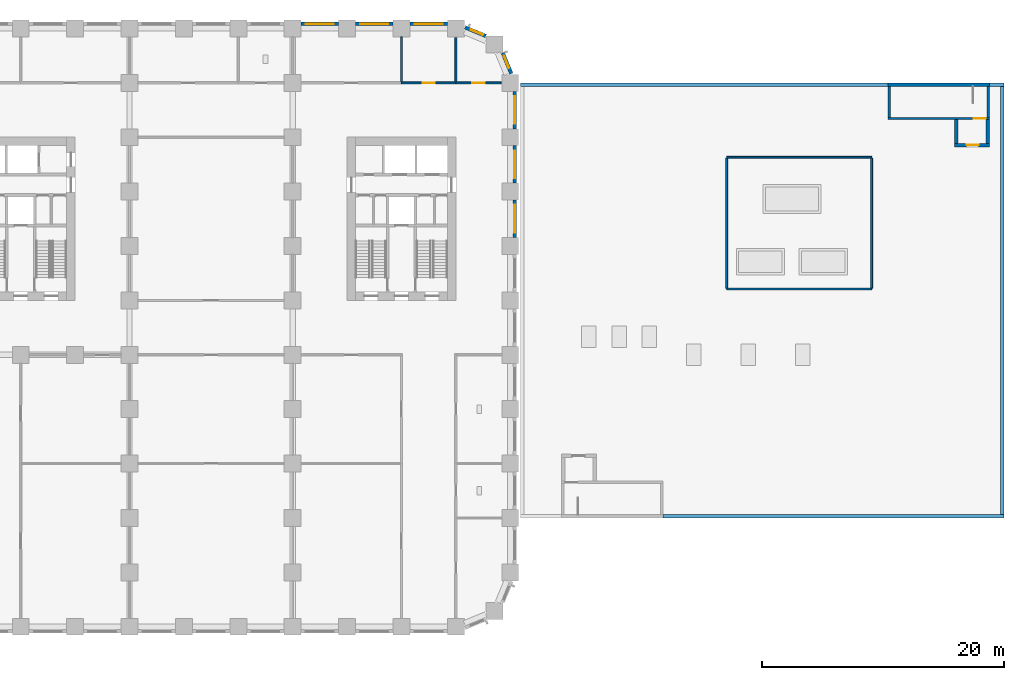
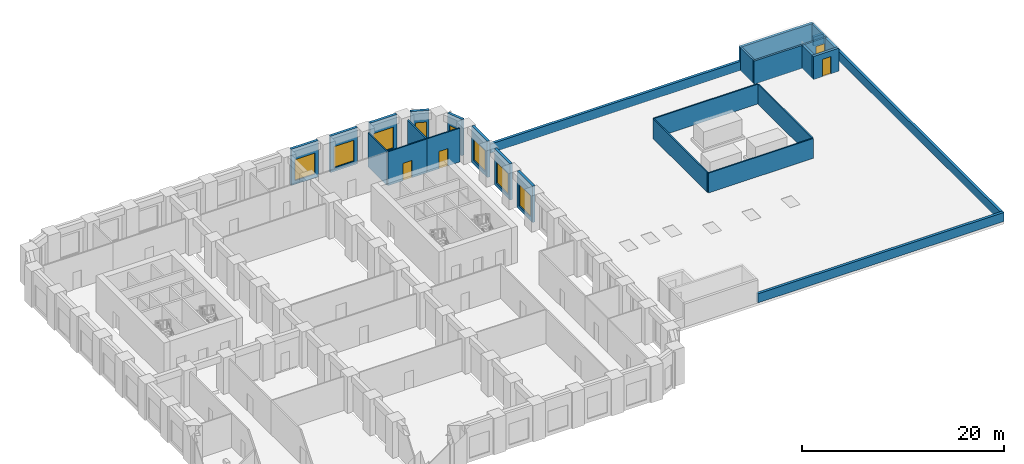
# One storey, part 8 of 14: 27 walls, 8 windows, 4 doors, 12 openings.
"""IFC4 building model written with IfcOpenShell, lengths in metres."""

from ifc_helpers import new_model, si_unit, direction, frame, frame_2d, origin, place, context, subcontext, project, spatial, rectangle, extrude, material, layer, layer_set, type_object, element, fill, save


model = new_model("IFC4")

# Units and contexts
model_context = context("Model", 3, precision=1e-05, world=origin(), true_north=direction((0.0, 1.0)))
body_context = subcontext(model_context, "Body", "Model", "MODEL_VIEW")
ifc_project = project(units=[si_unit("LENGTHUNIT", "METRE"), si_unit("AREAUNIT", "SQUARE_METRE"), si_unit("VOLUMEUNIT", "CUBIC_METRE"), si_unit("PLANEANGLEUNIT", "RADIAN"), si_unit("MASSUNIT", "GRAM", prefix="KILO")], contexts=[model_context])

# Site, building, storey
site_placement = place(None, origin())
site = spatial("IfcSite", under=ifc_project, at=site_placement, CompositionType="ELEMENT")
building_placement = place(site_placement, origin())
building = spatial("IfcBuilding", under=site, at=building_placement, Name="Girih Gate Residences", CompositionType="ELEMENT")
storey_placement = place(building_placement, frame((0.0, 0.0, 26.0)))
storey = spatial("IfcBuildingStorey", under=building, at=storey_placement, Name="L05", CompositionType="ELEMENT", Elevation=26.0)

# Wall
ifc_material_1 = material(Name="Gypsum board on steel studs", Category="steel")
ifc_layer_1 = layer(ifc_material_1, 0.14990234375)
ifc_layer_set_1 = layer_set([ifc_layer_1], Name="Compartment wall 150 mm")
wall_type_1 = type_object("IfcWallType", Name="Compartment wall 150 mm", PredefinedType="PARTITIONING", material=ifc_layer_set_1)
wall_1_placement = place(storey_placement, frame((45.0, 45.074951171875, 0.0), z_axis=(0.0, 0.0, 1.0), x_axis=(0.0, 1.0, 0.0)))
element("IfcWall", 1, at=wall_1_placement, inside=storey, type_object=wall_type_1, Name="L05 partition", PredefinedType="PARTITIONING", context=body_context, shape_type="SweptSolid", body=[
    extrude(rectangle(XDim=3.66748046875, YDim=0.14990234375, at=frame_2d((1.833740234375, 0.0))), origin(), (0.0, 0.0, 1.0), 4.10009765625),
])

# Wall, opening, door
wall_2_placement = place(storey_placement, frame((45.0, 45.0, 0.0), z_axis=(0.0, 0.0, 1.0), x_axis=(1.0, 0.0, 0.0)))
wall_2 = element("IfcWall", 2, at=wall_2_placement, inside=storey, type_object=wall_type_1, Name="L05 partition", PredefinedType="PARTITIONING", context=body_context, shape_type="SweptSolid", body=[
    extrude(rectangle(XDim=3.742431640625, YDim=0.14990234375, at=frame_2d((1.87109375, 0.0))), origin(), (0.0, 0.0, 1.0), 4.10009765625),
])
opening_1_placement = place(wall_2_placement, frame((1.37109375, 0.0, 0.0)))
opening_1 = element("IfcOpeningElement", 3, at=opening_1_placement, cuts=wall_2, Name="Opening D-L05-S-007", PredefinedType="OPENING", context=body_context, shape_type="SweptSolid", body=[
    extrude(rectangle(XDim=1.0, YDim=2.10009765625, at=frame_2d((0.5, 1.050048828125))), frame((0.0, 0.0849609375, 0.0), z_axis=(0.0, -1.0, 0.0), x_axis=(1.0, 0.0, 0.0)), (0.0, 0.0, 1.0), 0.169921875),
])
ifc_material_2 = material(Name="Timber, fire-rated core", Category="wood")
door_type_1 = type_object("IfcDoorType", Name="Amenity door 1000x2100 FD30S", OperationType="SINGLE_SWING_LEFT", PredefinedType="DOOR", material=ifc_material_2)
door_1_placement = place(opening_1_placement, origin())
door_1 = element("IfcDoor", 4, at=door_1_placement, inside=storey, type_object=door_type_1, Name="Door L05-007", OperationType="SINGLE_SWING_RIGHT", OverallHeight=2.10009765625, OverallWidth=1.0, PredefinedType="DOOR", context=body_context, shape_type="SweptSolid", body=[
    extrude(rectangle(XDim=1.0, YDim=2.10009765625, at=frame_2d((0.5, 1.050048828125))), frame((0.0, 0.02490234375, 0.0), z_axis=(0.0, -1.0, 0.0), x_axis=(1.0, 0.0, 0.0)), (0.0, 0.0, 1.0), 0.050048828125),
])
fill(opening_1, door_1)

# Wall
wall_3_placement = place(storey_placement, frame((40.5, 45.074951171875, 0.0), z_axis=(0.0, 0.0, 1.0), x_axis=(0.0, 1.0, 0.0)))
element("IfcWall", 5, at=wall_3_placement, inside=storey, type_object=wall_type_1, Name="L05 partition", PredefinedType="PARTITIONING", context=body_context, shape_type="SweptSolid", body=[
    extrude(rectangle(XDim=3.72509765625, YDim=0.14990234375, at=frame_2d((1.862548828125, 0.0))), origin(), (0.0, 0.0, 1.0), 4.10009765625),
])

# Wall, opening, door
wall_4_placement = place(storey_placement, frame((40.5, 45.0, 0.0), z_axis=(0.0, 0.0, 1.0), x_axis=(1.0, 0.0, 0.0)))
wall_4 = element("IfcWall", 6, at=wall_4_placement, inside=storey, type_object=wall_type_1, Name="L05 partition", PredefinedType="PARTITIONING", context=body_context, shape_type="SweptSolid", body=[
    extrude(rectangle(XDim=4.5, YDim=0.14990234375, at=frame_2d((2.25, 0.0))), origin(), (0.0, 0.0, 1.0), 4.10009765625),
])
opening_2_placement = place(wall_4_placement, frame((1.75, 0.0, 0.0)))
opening_2 = element("IfcOpeningElement", 7, at=opening_2_placement, cuts=wall_4, Name="Opening D-L05-S-008", PredefinedType="OPENING", context=body_context, shape_type="SweptSolid", body=[
    extrude(rectangle(XDim=1.0, YDim=2.10009765625, at=frame_2d((0.5, 1.050048828125))), frame((0.0, 0.0849609375, 0.0), z_axis=(0.0, -1.0, 0.0), x_axis=(1.0, 0.0, 0.0)), (0.0, 0.0, 1.0), 0.169921875),
])
door_2_placement = place(opening_2_placement, origin())
door_2 = element("IfcDoor", 8, at=door_2_placement, inside=storey, type_object=door_type_1, Name="Door L05-008", OperationType="SINGLE_SWING_RIGHT", OverallHeight=2.10009765625, OverallWidth=1.0, PredefinedType="DOOR", context=body_context, shape_type="SweptSolid", body=[
    extrude(rectangle(XDim=1.0, YDim=2.10009765625, at=frame_2d((0.5, 1.050048828125))), frame((0.0, 0.02490234375, 0.0), z_axis=(0.0, -1.0, 0.0), x_axis=(1.0, 0.0, 0.0)), (0.0, 0.0, 1.0), 0.050048828125),
])
fill(opening_2, door_2)

# Walls
ifc_material_3 = material(Name="Concrete C40/50", Category="concrete")
ifc_layer_2 = layer(ifc_material_3, 0.199951171875)
ifc_layer_set_2 = layer_set([ifc_layer_2], Name="HC Core wall 200 C40/50")
wall_type_2 = type_object("IfcWallType", Name="HC Core wall 200 C40/50", PredefinedType="SHEAR", material=ifc_layer_set_2)
for number, where, z_axis, x_axis, name in (
    (9, (80.85009765625, 42.14990234375, 0.0), (0.0, 0.0, 1.0), (0.0, 1.0, 0.0), "Stair B head-house west wall"),
    (10, (89.050048828125, 42.14990234375, 0.0), (0.0, 0.0, 1.0), (0.0, 1.0, 0.0), "Stair B head-house east wall"),
):
    element("IfcWall", number, at=place(storey_placement, frame(where, z_axis=z_axis, x_axis=x_axis)), inside=storey, type_object=wall_type_2, Name=name, PredefinedType="SHEAR", context=body_context, shape_type="SweptSolid", body=[
        extrude(rectangle(XDim=2.550048828125, YDim=0.199951171875, at=frame_2d((1.27490234375, 0.0))), origin(), (0.0, 0.0, 1.0), 2.800048828125),
    ])

# Wall, opening, door
wall_5_placement = place(storey_placement, frame((89.14990234375, 42.050048828125, 0.0), z_axis=(0.0, 0.0, 1.0), x_axis=(-1.0, 0.0, 0.0)))
wall_5 = element("IfcWall", 11, at=wall_5_placement, inside=storey, type_object=wall_type_2, Name="Stair B head-house south wall", PredefinedType="SHEAR", context=body_context, shape_type="SweptSolid", body=[
    extrude(rectangle(XDim=8.39990234375, YDim=0.199951171875, at=frame_2d((4.199951171875, 0.0))), origin(), (0.0, 0.0, 1.0), 2.800048828125),
])
opening_3_placement = place(wall_5_placement, frame((0.300048828125, 0.0, 0.0)))
opening_3 = element("IfcOpeningElement", 12, at=opening_3_placement, cuts=wall_5, Name="Opening HC-ROOF-DOOR-B", PredefinedType="OPENING", context=body_context, shape_type="SweptSolid", body=[
    extrude(rectangle(XDim=1.0, YDim=2.10009765625, at=frame_2d((0.5, 1.050048828125))), frame((0.0, 0.10986328125, 0.0), z_axis=(0.0, -1.0, 0.0), x_axis=(1.0, 0.0, 0.0)), (0.0, 0.0, 1.0), 0.219970703125),
])
ifc_material_4 = material(Name="Steel door set", Category="steel")
door_type_2 = type_object("IfcDoorType", Name="HC Exit door 1000x2100", OperationType="NOTDEFINED", PredefinedType="DOOR", material=ifc_material_4)
door_3_placement = place(opening_3_placement, origin())
door_3 = element("IfcDoor", 13, at=door_3_placement, inside=storey, type_object=door_type_2, Name="Stair B roof door", OperationType="SINGLE_SWING_RIGHT", OverallHeight=2.10009765625, OverallWidth=1.0, PredefinedType="DOOR", context=body_context, shape_type="SweptSolid", body=[
    extrude(rectangle(XDim=1.0, YDim=2.10009765625, at=frame_2d((0.5, 1.050048828125))), frame((0.0, 0.02490234375, 0.0), z_axis=(0.0, -1.0, 0.0), x_axis=(1.0, 0.0, 0.0)), (0.0, 0.0, 1.0), 0.050048828125),
])
fill(opening_3, door_3)

# Walls
ifc_material_5 = material(Name="Precast concrete C40/50", Category="concrete")
ifc_layer_3 = layer(ifc_material_5, 0.300048828125)
ifc_layer_set_3 = layer_set([ifc_layer_3], Name="HC Facade wall 300")
wall_type_3 = type_object("IfcWallType", Name="HC Facade wall 300", PredefinedType="SOLIDWALL", material=ifc_layer_set_3)
wall_6_placement = place(storey_placement, frame((80.75, 44.85009765625, 0.0), z_axis=(0.0, 0.0, 1.0), x_axis=(1.0, 0.0, 0.0)))
element("IfcWall", 14, at=wall_6_placement, inside=storey, type_object=wall_type_3, Name="Stair B head-house north wall", PredefinedType="SOLIDWALL", context=body_context, shape_type="SweptSolid", body=[
    extrude(rectangle(XDim=8.39990234375, YDim=0.300048828125, at=frame_2d((4.199951171875, 0.0))), origin(), (0.0, 0.0, 1.0), 2.800048828125),
])
for number, where, z_axis, x_axis, name in (
    (15, (86.39990234375, 40.0, 0.0), (0.0, 0.0, 1.0), (0.0, 1.0, 0.0), "Roof access lobby B west wall"),
    (16, (89.0, 40.0, 0.0), (0.0, 0.0, 1.0), (0.0, 1.0, 0.0), "Roof access lobby B east wall"),
):
    element("IfcWall", number, at=place(storey_placement, frame(where, z_axis=z_axis, x_axis=x_axis)), inside=storey, type_object=wall_type_3, Name=name, PredefinedType="SOLIDWALL", context=body_context, shape_type="SweptSolid", body=[
        extrude(rectangle(XDim=1.949951171875, YDim=0.300048828125, at=frame_2d((0.97509765625, 0.0))), origin(), (0.0, 0.0, 1.0), 2.800048828125),
    ])

# Wall, opening, door
wall_7_placement = place(storey_placement, frame((89.14990234375, 39.85009765625, 0.0), z_axis=(0.0, 0.0, 1.0), x_axis=(-1.0, 0.0, 0.0)))
wall_7 = element("IfcWall", 17, at=wall_7_placement, inside=storey, type_object=wall_type_3, Name="Roof access lobby B south wall", PredefinedType="SOLIDWALL", context=body_context, shape_type="SweptSolid", body=[
    extrude(rectangle(XDim=2.89990234375, YDim=0.300048828125, at=frame_2d((1.449951171875, 0.0))), origin(), (0.0, 0.0, 1.0), 2.800048828125),
])
opening_4_placement = place(wall_7_placement, frame((0.89990234375, 0.0, 0.0)))
opening_4 = element("IfcOpeningElement", 18, at=opening_4_placement, cuts=wall_7, Name="Opening HC-ROOF-DOOR-B2", PredefinedType="OPENING", context=body_context, shape_type="SweptSolid", body=[
    extrude(rectangle(XDim=1.0, YDim=2.10009765625, at=frame_2d((0.5, 1.050048828125))), frame((0.0, 0.159912109375, 0.0), z_axis=(0.0, -1.0, 0.0), x_axis=(1.0, 0.0, 0.0)), (0.0, 0.0, 1.0), 0.320068359375),
])
door_4_placement = place(opening_4_placement, origin())
door_4 = element("IfcDoor", 19, at=door_4_placement, inside=storey, type_object=door_type_2, Name="Roof access lobby B roof door", OperationType="SINGLE_SWING_RIGHT", OverallHeight=2.10009765625, OverallWidth=1.0, PredefinedType="DOOR", context=body_context, shape_type="SweptSolid", body=[
    extrude(rectangle(XDim=1.0, YDim=2.10009765625, at=frame_2d((0.5, 1.050048828125))), frame((0.0, 0.02490234375, 0.0), z_axis=(0.0, -1.0, 0.0), x_axis=(1.0, 0.0, 0.0)), (0.0, 0.0, 1.0), 0.050048828125),
])
fill(opening_4, door_4)

# Walls
ifc_layer_4 = layer(ifc_material_5, 0.300048828125)
ifc_layer_set_4 = layer_set([ifc_layer_4], Name="HC Parapet wall 300")
wall_type_4 = type_object("IfcWallType", Name="HC Parapet wall 300", PredefinedType="SOLIDWALL", material=ifc_layer_set_4)
wall_8_placement = place(storey_placement, frame((62.14990234375, 9.14990234375, 0.0), z_axis=(0.0, 0.0, 1.0), x_axis=(1.0, 0.0, 0.0)))
element("IfcWall", 20, at=wall_8_placement, inside=storey, type_object=wall_type_4, Name="Roof parapet S2", PredefinedType="SOLIDWALL", context=body_context, shape_type="SweptSolid", body=[
    extrude(rectangle(XDim=28.2001953125, YDim=0.300048828125, at=frame_2d((14.10009765625, 0.0))), origin(), (0.0, 0.0, 1.0), 1.10009765625),
])
wall_9_placement = place(storey_placement, frame((50.35009765625, 44.85009765625, 0.0), z_axis=(0.0, 0.0, 1.0), x_axis=(1.0, 0.0, 0.0)))
element("IfcWall", 21, at=wall_9_placement, inside=storey, type_object=wall_type_4, Name="Roof parapet N1", PredefinedType="SOLIDWALL", context=body_context, shape_type="SweptSolid", body=[
    extrude(rectangle(XDim=30.39990234375, YDim=0.300048828125, at=frame_2d((15.199951171875, 0.0))), origin(), (0.0, 0.0, 1.0), 1.10009765625),
])
wall_10_placement = place(storey_placement, frame((89.14990234375, 44.85009765625, 0.0), z_axis=(0.0, 0.0, 1.0), x_axis=(1.0, 0.0, 0.0)))
element("IfcWall", 22, at=wall_10_placement, inside=storey, type_object=wall_type_4, Name="Roof parapet N2", PredefinedType="SOLIDWALL", context=body_context, shape_type="SweptSolid", body=[
    extrude(rectangle(XDim=1.2001953125, YDim=0.300048828125, at=frame_2d((0.60009765625, 0.0))), origin(), (0.0, 0.0, 1.0), 1.10009765625),
])
wall_11_placement = place(storey_placement, frame((90.199951171875, 9.300048828125, 0.0), z_axis=(0.0, 0.0, 1.0), x_axis=(0.0, 1.0, 0.0)))
element("IfcWall", 23, at=wall_11_placement, inside=storey, type_object=wall_type_4, Name="Roof parapet east", PredefinedType="SOLIDWALL", context=body_context, shape_type="SweptSolid", body=[
    extrude(rectangle(XDim=35.39990234375, YDim=0.300048828125, at=frame_2d((17.699951171875, 0.0))), origin(), (0.0, 0.0, 1.0), 1.10009765625),
])
ifc_material_6 = material(Name="Aluminium louvre", Category="aluminium")
ifc_layer_5 = layer(ifc_material_6, 0.14990234375)
ifc_layer_set_5 = layer_set([ifc_layer_5], Name="HC Plant screen 150")
wall_type_5 = type_object("IfcWallType", Name="HC Plant screen 150", PredefinedType="PARTITIONING", material=ifc_layer_set_5)
for number, where, z_axis, x_axis, name in (
    (24, (67.39990234375, 27.949951171875, 0.0400390625), (0.0, 0.0, 1.0), (1.0, 0.0, 0.0), "Roof plant screen 1"),
    (25, (67.39990234375, 38.85009765625, 0.0400390625), (0.0, 0.0, 1.0), (1.0, 0.0, 0.0), "Roof plant screen 2"),
):
    element("IfcWall", number, at=place(storey_placement, frame(where, z_axis=z_axis, x_axis=x_axis)), inside=storey, type_object=wall_type_5, Name=name, PredefinedType="PARTITIONING", context=body_context, shape_type="SweptSolid", body=[
        extrude(rectangle(XDim=12.0, YDim=0.14990234375, at=frame_2d((6.0, 0.0))), origin(), (0.0, 0.0, 1.0), 2.39990234375),
    ])
for number, where, z_axis, x_axis, name in (
    (26, (67.39990234375, 28.02490234375, 0.0400390625), (0.0, 0.0, 1.0), (0.0, 1.0, 0.0), "Roof plant screen 3"),
    (27, (79.39990234375, 28.02490234375, 0.0400390625), (0.0, 0.0, 1.0), (0.0, 1.0, 0.0), "Roof plant screen 4"),
):
    element("IfcWall", number, at=place(storey_placement, frame(where, z_axis=z_axis, x_axis=x_axis)), inside=storey, type_object=wall_type_5, Name=name, PredefinedType="PARTITIONING", context=body_context, shape_type="SweptSolid", body=[
        extrude(rectangle(XDim=10.75, YDim=0.14990234375, at=frame_2d((5.375, 0.0))), origin(), (0.0, 0.0, 1.0), 2.39990234375),
    ])

# Wall, opening, window
ifc_material_7 = material(Name="Precast concrete C50/60", Category="concrete")
ifc_layer_6 = layer(ifc_material_7, 0.080078125, Name="Outer leaf")
ifc_material_8 = material(Name="Rigid PIR insulation")
ifc_layer_7 = layer(ifc_material_8, 0.14990234375, Name="Insulation")
ifc_layer_8 = layer(ifc_material_5, 0.070068359375, Name="Inner leaf")
ifc_layer_set_6 = layer_set([ifc_layer_6, ifc_layer_7, ifc_layer_8], Name="Precast concrete C50/60 external wall 300")
wall_type_6 = type_object("IfcWallType", Name="Precast concrete C50/60 external wall 300", PredefinedType="SOLIDWALL", material=ifc_layer_set_6)
wall_12_placement = place(storey_placement, frame((49.875, 35.300048828125, 0.0), z_axis=(0.0, 0.0, 1.0), x_axis=(0.0, -1.0, 0.0)))
wall_12 = element("IfcWall", 28, at=wall_12_placement, inside=storey, type_object=wall_type_6, Name="External wall E0495_0045.6", PredefinedType="SOLIDWALL", context=body_context, shape_type="SweptSolid", body=[
    extrude(rectangle(XDim=3.10009765625, YDim=0.300048828125, at=frame_2d((1.550048828125, 0.0))), origin(), (0.0, 0.0, 1.0), 4.39990234375),
])
opening_5_placement = place(wall_12_placement, frame((0.39990234375, 0.0, 0.449951171875)))
opening_5 = element("IfcOpeningElement", 29, at=opening_5_placement, cuts=wall_12, Name="Opening W-6", PredefinedType="OPENING", context=body_context, shape_type="SweptSolid", body=[
    extrude(rectangle(XDim=2.300048828125, YDim=2.550048828125, at=frame_2d((1.14990234375, 1.27490234375))), frame((0.0, 0.159912109375, 0.0), z_axis=(0.0, -1.0, 0.0), x_axis=(1.0, 0.0, 0.0)), (0.0, 0.0, 1.0), 0.320068359375),
])
ifc_material_9 = material(Name="Double glazing in aluminium frame", Category="aluminium")
window_type_1 = type_object("IfcWindowType", Name="Window W-6 2300x2550", PartitioningType="SINGLE_PANEL", PredefinedType="WINDOW", material=ifc_material_9)
window_1_placement = place(opening_5_placement, origin())
window_1 = element("IfcWindow", 30, at=window_1_placement, inside=storey, type_object=window_type_1, Name="Window W-6 E0495_0045.6", OverallHeight=2.550048828125, OverallWidth=2.300048828125, PartitioningType="SINGLE_PANEL", PredefinedType="WINDOW", context=body_context, shape_type="SweptSolid", body=[
    extrude(rectangle(XDim=2.300048828125, YDim=2.550048828125, at=frame_2d((1.14990234375, 1.27490234375))), frame((0.0, 0.030029296875, 0.0), z_axis=(0.0, -1.0, 0.0), x_axis=(1.0, 0.0, 0.0)), (0.0, 0.0, 1.0), 0.06005859375),
])
fill(opening_5, window_1)

wall_13_placement = place(storey_placement, frame((49.875, 39.800048828125, 0.0), z_axis=(0.0, 0.0, 1.0), x_axis=(0.0, -1.0, 0.0)))
wall_13 = element("IfcWall", 31, at=wall_13_placement, inside=storey, type_object=wall_type_6, Name="External wall E0495_0045.7", PredefinedType="SOLIDWALL", context=body_context, shape_type="SweptSolid", body=[
    extrude(rectangle(XDim=3.10009765625, YDim=0.300048828125, at=frame_2d((1.550048828125, 0.0))), origin(), (0.0, 0.0, 1.0), 4.39990234375),
])
opening_6_placement = place(wall_13_placement, frame((0.39990234375, 0.0, 0.449951171875)))
opening_6 = element("IfcOpeningElement", 32, at=opening_6_placement, cuts=wall_13, Name="Opening W-6", PredefinedType="OPENING", context=body_context, shape_type="SweptSolid", body=[
    extrude(rectangle(XDim=2.300048828125, YDim=2.550048828125, at=frame_2d((1.14990234375, 1.27490234375))), frame((0.0, 0.159912109375, 0.0), z_axis=(0.0, -1.0, 0.0), x_axis=(1.0, 0.0, 0.0)), (0.0, 0.0, 1.0), 0.320068359375),
])
window_2_placement = place(opening_6_placement, origin())
window_2 = element("IfcWindow", 33, at=window_2_placement, inside=storey, type_object=window_type_1, Name="Window W-6 E0495_0045.7", OverallHeight=2.550048828125, OverallWidth=2.300048828125, PartitioningType="SINGLE_PANEL", PredefinedType="WINDOW", context=body_context, shape_type="SweptSolid", body=[
    extrude(rectangle(XDim=2.300048828125, YDim=2.550048828125, at=frame_2d((1.14990234375, 1.27490234375))), frame((0.0, 0.030029296875, 0.0), z_axis=(0.0, -1.0, 0.0), x_axis=(1.0, 0.0, 0.0)), (0.0, 0.0, 1.0), 0.06005859375),
])
fill(opening_6, window_2)

wall_14_placement = place(storey_placement, frame((49.875, 44.300048828125, 0.0), z_axis=(0.0, 0.0, 1.0), x_axis=(0.0, -1.0, 0.0)))
wall_14 = element("IfcWall", 34, at=wall_14_placement, inside=storey, type_object=wall_type_6, Name="External wall E0495_0045.8", PredefinedType="SOLIDWALL", context=body_context, shape_type="SweptSolid", body=[
    extrude(rectangle(XDim=3.10009765625, YDim=0.300048828125, at=frame_2d((1.550048828125, 0.0))), origin(), (0.0, 0.0, 1.0), 4.39990234375),
])
opening_7_placement = place(wall_14_placement, frame((0.39990234375, 0.0, 0.449951171875)))
opening_7 = element("IfcOpeningElement", 35, at=opening_7_placement, cuts=wall_14, Name="Opening W-6", PredefinedType="OPENING", context=body_context, shape_type="SweptSolid", body=[
    extrude(rectangle(XDim=2.300048828125, YDim=2.550048828125, at=frame_2d((1.14990234375, 1.27490234375))), frame((0.0, 0.159912109375, 0.0), z_axis=(0.0, -1.0, 0.0), x_axis=(1.0, 0.0, 0.0)), (0.0, 0.0, 1.0), 0.320068359375),
])
window_3_placement = place(opening_7_placement, origin())
window_3 = element("IfcWindow", 36, at=window_3_placement, inside=storey, type_object=window_type_1, Name="Window W-6 E0495_0045.8", OverallHeight=2.550048828125, OverallWidth=2.300048828125, PartitioningType="SINGLE_PANEL", PredefinedType="WINDOW", context=body_context, shape_type="SweptSolid", body=[
    extrude(rectangle(XDim=2.300048828125, YDim=2.550048828125, at=frame_2d((1.14990234375, 1.27490234375))), frame((0.0, 0.030029296875, 0.0), z_axis=(0.0, -1.0, 0.0), x_axis=(1.0, 0.0, 0.0)), (0.0, 0.0, 1.0), 0.06005859375),
])
fill(opening_7, window_3)

wall_15_placement = place(storey_placement, frame((48.87841796875, 47.48046875, 0.0), z_axis=(0.0, 0.0, 1.0), x_axis=(0.38262540684, -0.923903565336, 0.0)))
wall_15 = element("IfcWall", 37, at=wall_15_placement, inside=storey, type_object=wall_type_6, Name="External wall NE0495_0450.0", PredefinedType="SOLIDWALL", context=body_context, shape_type="SweptSolid", body=[
    extrude(rectangle(XDim=1.864990234375, YDim=0.300048828125, at=frame_2d((0.9326171875, 0.0))), origin(), (0.0, 0.0, 1.0), 4.39990234375),
])
opening_8_placement = place(wall_15_placement, frame((0.257568359375, 0.0, 0.449951171875)))
opening_8 = element("IfcOpeningElement", 38, at=opening_8_placement, cuts=wall_15, Name="Opening W-2B", PredefinedType="OPENING", context=body_context, shape_type="SweptSolid", body=[
    extrude(rectangle(XDim=1.10009765625, YDim=2.550048828125, at=frame_2d((0.550048828125, 1.27490234375))), frame((0.0, 0.159912109375, 0.0), z_axis=(0.0, -1.0, 0.0), x_axis=(1.0, 0.0, 0.0)), (0.0, 0.0, 1.0), 0.320068359375),
])
window_type_2 = type_object("IfcWindowType", Name="Window W-2B 1100x2550", PartitioningType="SINGLE_PANEL", PredefinedType="WINDOW", material=ifc_material_9)
window_4_placement = place(opening_8_placement, origin())
window_4 = element("IfcWindow", 39, at=window_4_placement, inside=storey, type_object=window_type_2, Name="Window W-2B NE0495_0450.0", OverallHeight=2.550048828125, OverallWidth=1.10009765625, PartitioningType="SINGLE_PANEL", PredefinedType="WINDOW", context=body_context, shape_type="SweptSolid", body=[
    extrude(rectangle(XDim=1.10009765625, YDim=2.550048828125, at=frame_2d((0.550048828125, 1.27490234375))), frame((0.0, 0.030029296875, 0.0), z_axis=(0.0, -1.0, 0.0), x_axis=(1.0, 0.0, 0.0)), (0.0, 0.0, 1.0), 0.06005859375),
])
fill(opening_8, window_4)

wall_16_placement = place(storey_placement, frame((45.75732421875, 49.59228515625, 0.0), z_axis=(0.0, 0.0, 1.0), x_axis=(0.923857286003, -0.382737135771, 0.0)))
wall_16 = element("IfcWall", 40, at=wall_16_placement, inside=storey, type_object=wall_type_6, Name="External wall NE0482_0482.0", PredefinedType="SOLIDWALL", context=body_context, shape_type="SweptSolid", body=[
    extrude(rectangle(XDim=1.865234375, YDim=0.300048828125, at=frame_2d((0.9326171875, 0.0))), origin(), (0.0, 0.0, 1.0), 4.39990234375),
])
opening_9_placement = place(wall_16_placement, frame((0.507568359375, 0.0, 0.449951171875)))
opening_9 = element("IfcOpeningElement", 41, at=opening_9_placement, cuts=wall_16, Name="Opening W-2B", PredefinedType="OPENING", context=body_context, shape_type="SweptSolid", body=[
    extrude(rectangle(XDim=1.10009765625, YDim=2.550048828125, at=frame_2d((0.550048828125, 1.27490234375))), frame((0.0, 0.159912109375, 0.0), z_axis=(0.0, -1.0, 0.0), x_axis=(1.0, 0.0, 0.0)), (0.0, 0.0, 1.0), 0.320068359375),
])
window_5_placement = place(opening_9_placement, origin())
window_5 = element("IfcWindow", 42, at=window_5_placement, inside=storey, type_object=window_type_2, Name="Window W-2B NE0482_0482.0", OverallHeight=2.550048828125, OverallWidth=1.10009765625, PartitioningType="SINGLE_PANEL", PredefinedType="WINDOW", context=body_context, shape_type="SweptSolid", body=[
    extrude(rectangle(XDim=1.10009765625, YDim=2.550048828125, at=frame_2d((0.550048828125, 1.27490234375))), frame((0.0, 0.030029296875, 0.0), z_axis=(0.0, -1.0, 0.0), x_axis=(1.0, 0.0, 0.0)), (0.0, 0.0, 1.0), 0.06005859375),
])
fill(opening_9, window_5)

wall_17_placement = place(storey_placement, frame((41.199951171875, 49.875, 0.0), z_axis=(0.0, 0.0, 1.0), x_axis=(1.0, 0.0, 0.0)))
wall_17 = element("IfcWall", 43, at=wall_17_placement, inside=storey, type_object=wall_type_6, Name="External wall N0450_0495.0", PredefinedType="SOLIDWALL", context=body_context, shape_type="SweptSolid", body=[
    extrude(rectangle(XDim=3.10009765625, YDim=0.300048828125, at=frame_2d((1.550048828125, 0.0))), origin(), (0.0, 0.0, 1.0), 4.39990234375),
])
opening_10_placement = place(wall_17_placement, frame((0.39990234375, 0.0, 0.449951171875)))
opening_10 = element("IfcOpeningElement", 44, at=opening_10_placement, cuts=wall_17, Name="Opening W-6", PredefinedType="OPENING", context=body_context, shape_type="SweptSolid", body=[
    extrude(rectangle(XDim=2.300048828125, YDim=2.550048828125, at=frame_2d((1.14990234375, 1.27490234375))), frame((0.0, 0.159912109375, 0.0), z_axis=(0.0, -1.0, 0.0), x_axis=(1.0, 0.0, 0.0)), (0.0, 0.0, 1.0), 0.320068359375),
])
window_6_placement = place(opening_10_placement, origin())
window_6 = element("IfcWindow", 45, at=window_6_placement, inside=storey, type_object=window_type_1, Name="Window W-6 N0450_0495.0", OverallHeight=2.550048828125, OverallWidth=2.300048828125, PartitioningType="SINGLE_PANEL", PredefinedType="WINDOW", context=body_context, shape_type="SweptSolid", body=[
    extrude(rectangle(XDim=2.300048828125, YDim=2.550048828125, at=frame_2d((1.14990234375, 1.27490234375))), frame((0.0, 0.030029296875, 0.0), z_axis=(0.0, -1.0, 0.0), x_axis=(1.0, 0.0, 0.0)), (0.0, 0.0, 1.0), 0.06005859375),
])
fill(opening_10, window_6)

wall_18_placement = place(storey_placement, frame((36.699951171875, 49.875, 0.0), z_axis=(0.0, 0.0, 1.0), x_axis=(1.0, 0.0, 0.0)))
wall_18 = element("IfcWall", 46, at=wall_18_placement, inside=storey, type_object=wall_type_6, Name="External wall N0450_0495.1", PredefinedType="SOLIDWALL", context=body_context, shape_type="SweptSolid", body=[
    extrude(rectangle(XDim=3.10009765625, YDim=0.300048828125, at=frame_2d((1.550048828125, 0.0))), origin(), (0.0, 0.0, 1.0), 4.39990234375),
])
opening_11_placement = place(wall_18_placement, frame((0.39990234375, 0.0, 0.449951171875)))
opening_11 = element("IfcOpeningElement", 47, at=opening_11_placement, cuts=wall_18, Name="Opening W-6", PredefinedType="OPENING", context=body_context, shape_type="SweptSolid", body=[
    extrude(rectangle(XDim=2.300048828125, YDim=2.550048828125, at=frame_2d((1.14990234375, 1.27490234375))), frame((0.0, 0.159912109375, 0.0), z_axis=(0.0, -1.0, 0.0), x_axis=(1.0, 0.0, 0.0)), (0.0, 0.0, 1.0), 0.320068359375),
])
window_7_placement = place(opening_11_placement, origin())
window_7 = element("IfcWindow", 48, at=window_7_placement, inside=storey, type_object=window_type_1, Name="Window W-6 N0450_0495.1", OverallHeight=2.550048828125, OverallWidth=2.300048828125, PartitioningType="SINGLE_PANEL", PredefinedType="WINDOW", context=body_context, shape_type="SweptSolid", body=[
    extrude(rectangle(XDim=2.300048828125, YDim=2.550048828125, at=frame_2d((1.14990234375, 1.27490234375))), frame((0.0, 0.030029296875, 0.0), z_axis=(0.0, -1.0, 0.0), x_axis=(1.0, 0.0, 0.0)), (0.0, 0.0, 1.0), 0.06005859375),
])
fill(opening_11, window_7)

wall_19_placement = place(storey_placement, frame((32.199951171875, 49.875, 0.0), z_axis=(0.0, 0.0, 1.0), x_axis=(1.0, 0.0, 0.0)))
wall_19 = element("IfcWall", 49, at=wall_19_placement, inside=storey, type_object=wall_type_6, Name="External wall N0450_0495.2", PredefinedType="SOLIDWALL", context=body_context, shape_type="SweptSolid", body=[
    extrude(rectangle(XDim=3.10009765625, YDim=0.300048828125, at=frame_2d((1.550048828125, 0.0))), origin(), (0.0, 0.0, 1.0), 4.39990234375),
])
opening_12_placement = place(wall_19_placement, frame((0.39990234375, 0.0, 0.449951171875)))
opening_12 = element("IfcOpeningElement", 50, at=opening_12_placement, cuts=wall_19, Name="Opening W-6", PredefinedType="OPENING", context=body_context, shape_type="SweptSolid", body=[
    extrude(rectangle(XDim=2.300048828125, YDim=2.550048828125, at=frame_2d((1.14990234375, 1.27490234375))), frame((0.0, 0.159912109375, 0.0), z_axis=(0.0, -1.0, 0.0), x_axis=(1.0, 0.0, 0.0)), (0.0, 0.0, 1.0), 0.320068359375),
])
window_8_placement = place(opening_12_placement, origin())
window_8 = element("IfcWindow", 51, at=window_8_placement, inside=storey, type_object=window_type_1, Name="Window W-6 N0450_0495.2", OverallHeight=2.550048828125, OverallWidth=2.300048828125, PartitioningType="SINGLE_PANEL", PredefinedType="WINDOW", context=body_context, shape_type="SweptSolid", body=[
    extrude(rectangle(XDim=2.300048828125, YDim=2.550048828125, at=frame_2d((1.14990234375, 1.27490234375))), frame((0.0, 0.030029296875, 0.0), z_axis=(0.0, -1.0, 0.0), x_axis=(1.0, 0.0, 0.0)), (0.0, 0.0, 1.0), 0.06005859375),
])
fill(opening_12, window_8)

save(model, "model.ifc")
